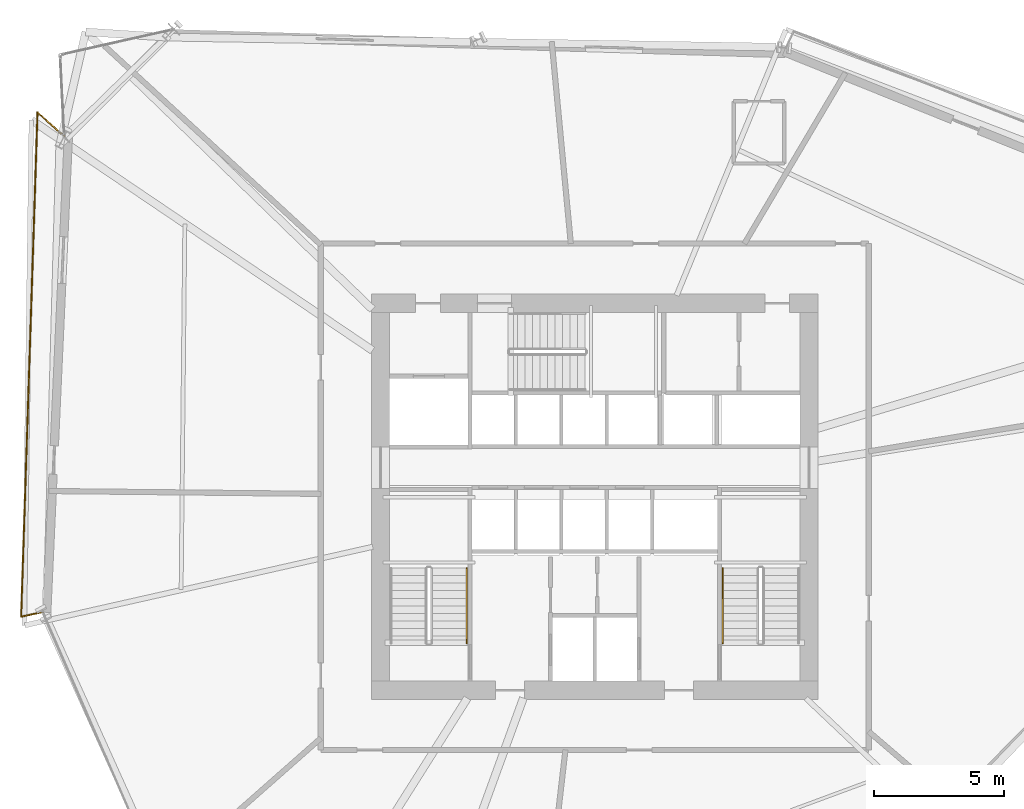
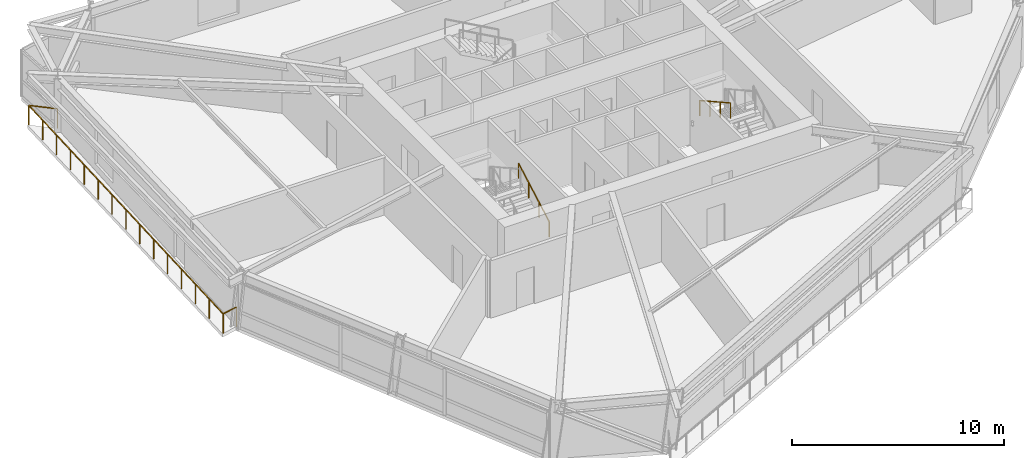
# One storey, part 17 of 19: 3 railings.
"""IFC4 building model written with IfcOpenShell, lengths in metres."""

from ifc_helpers import new_model, si_unit, direction, frame, origin, origin_2d, place, context, subcontext, project, spatial, rectangle, extrude, material, type_object, element, save


model = new_model("IFC4")

# Units and contexts
model_context = context("Model", 3, precision=1e-05, world=origin(), true_north=direction((0.0, 1.0)))
body_context = subcontext(model_context, "Body", "Model", "MODEL_VIEW")
ifc_project = project(units=[si_unit("LENGTHUNIT", "METRE"), si_unit("AREAUNIT", "SQUARE_METRE"), si_unit("VOLUMEUNIT", "CUBIC_METRE"), si_unit("PLANEANGLEUNIT", "RADIAN"), si_unit("MASSUNIT", "GRAM", prefix="KILO")], contexts=[model_context])

# Site, building, storey
site_placement = place(None, origin())
site = spatial("IfcSite", under=ifc_project, at=site_placement, CompositionType="ELEMENT")
building_placement = place(site_placement, origin())
building = spatial("IfcBuilding", under=site, at=building_placement, Name="Olszyna Solenne Hotel", CompositionType="ELEMENT")
storey_placement = place(building_placement, frame((0.0, 0.0, 84.39990234375)))
storey = spatial("IfcBuildingStorey", under=building, at=storey_placement, Name="L21", CompositionType="ELEMENT", Elevation=84.39990234375)

# Railings
ifc_material_1 = material(Name="Anodised bronze aluminium", Category="aluminium")
railing_type_1 = type_object("IfcRailingType", Name="GR-110", PredefinedType="BALUSTRADE", material=ifc_material_1)
railing_1_placement = place(storey_placement, frame((17.56689453125, 40.4853515625, 0.0)))
element("IfcRailing", 1, at=railing_1_placement, inside=storey, type_object=railing_type_1, Name="Loggia balcony balustrade guard GR-L21-LG2", PredefinedType="BALUSTRADE", context=body_context, shape_type="SweptSolid", body=[
    extrude(rectangle(XDim=0.048095703125, YDim=0.048095703125, at=origin_2d()), frame((0.0, 0.0, 1.1259765625), z_axis=(-0.746148065826, 0.665780041654, 0.0), x_axis=(-0.665780041654, -0.746148065826, 0.0)), (0.0, 0.0, 1.0), 1.379150390625),
    extrude(rectangle(XDim=0.048095703125, YDim=0.048095703125, at=origin_2d()), frame((-1.029052734375, 0.918212890625, 1.1259765625), z_axis=(-0.032459478001, -0.999473052307, 0.0), x_axis=(0.999473052307, -0.032459478001, 0.0)), (0.0, 0.0, 1.0), 19.435302734375),
    extrude(rectangle(XDim=0.048095703125, YDim=0.048095703125, at=origin_2d()), frame((-1.659912109375, -18.5068359375, 1.1259765625), z_axis=(0.977684013988, 0.21008086251, 0.0), x_axis=(-0.21008086251, 0.977684013988, 0.0)), (0.0, 0.0, 1.0), 0.845947265625),
    extrude(rectangle(XDim=0.0419921875, YDim=0.0419921875, at=origin_2d()), origin(), (0.0, 0.0, 1.0), 1.101806640625),
    extrude(rectangle(XDim=0.0419921875, YDim=0.0419921875, at=origin_2d()), frame((-1.029052734375, 0.918212890625, 0.0)), (0.0, 0.0, 1.0), 1.101806640625),
    extrude(rectangle(XDim=0.0419921875, YDim=0.0419921875, at=origin_2d()), frame((-1.07421875, -0.46923828125, 0.0)), (0.0, 0.0, 1.0), 1.101806640625),
    extrude(rectangle(XDim=0.0419921875, YDim=0.0419921875, at=origin_2d()), frame((-1.119140625, -1.856689453125, 0.0)), (0.0, 0.0, 1.0), 1.101806640625),
    extrude(rectangle(XDim=0.0419921875, YDim=0.0419921875, at=origin_2d()), frame((-1.164306640625, -3.244384765625, 0.0)), (0.0, 0.0, 1.0), 1.101806640625),
    extrude(rectangle(XDim=0.0419921875, YDim=0.0419921875, at=origin_2d()), frame((-1.209228515625, -4.6318359375, 0.0)), (0.0, 0.0, 1.0), 1.101806640625),
    extrude(rectangle(XDim=0.0419921875, YDim=0.0419921875, at=origin_2d()), frame((-1.25439453125, -6.019287109375, 0.0)), (0.0, 0.0, 1.0), 1.101806640625),
    extrude(rectangle(XDim=0.0419921875, YDim=0.0419921875, at=origin_2d()), frame((-1.29931640625, -7.40673828125, 0.0)), (0.0, 0.0, 1.0), 1.101806640625),
    extrude(rectangle(XDim=0.0419921875, YDim=0.0419921875, at=origin_2d()), frame((-1.344482421875, -8.79443359375, 0.0)), (0.0, 0.0, 1.0), 1.101806640625),
    extrude(rectangle(XDim=0.0419921875, YDim=0.0419921875, at=origin_2d()), frame((-1.3896484375, -10.181884765625, 0.0)), (0.0, 0.0, 1.0), 1.101806640625),
    extrude(rectangle(XDim=0.0419921875, YDim=0.0419921875, at=origin_2d()), frame((-1.4345703125, -11.5693359375, 0.0)), (0.0, 0.0, 1.0), 1.101806640625),
    extrude(rectangle(XDim=0.0419921875, YDim=0.0419921875, at=origin_2d()), frame((-1.479736328125, -12.956787109375, 0.0)), (0.0, 0.0, 1.0), 1.101806640625),
    extrude(rectangle(XDim=0.0419921875, YDim=0.0419921875, at=origin_2d()), frame((-1.524658203125, -14.34423828125, 0.0)), (0.0, 0.0, 1.0), 1.101806640625),
    extrude(rectangle(XDim=0.0419921875, YDim=0.0419921875, at=origin_2d()), frame((-1.56982421875, -15.73193359375, 0.0)), (0.0, 0.0, 1.0), 1.101806640625),
    extrude(rectangle(XDim=0.0419921875, YDim=0.0419921875, at=origin_2d()), frame((-1.61474609375, -17.119384765625, 0.0)), (0.0, 0.0, 1.0), 1.101806640625),
    extrude(rectangle(XDim=0.0419921875, YDim=0.0419921875, at=origin_2d()), frame((-1.659912109375, -18.5068359375, 0.0)), (0.0, 0.0, 1.0), 1.101806640625),
    extrude(rectangle(XDim=0.0419921875, YDim=0.0419921875, at=origin_2d()), frame((-0.832763671875, -18.3291015625, 0.0)), (0.0, 0.0, 1.0), 1.101806640625),
])
ifc_material_2 = material(Name="Steel S355J2", Category="steel")
railing_type_2 = type_object("IfcRailingType", Name="HR-090", PredefinedType="HANDRAIL", material=ifc_material_2)
railing_2_placement = place(storey_placement, frame((33.070068359375, 20.949951171875, 0.161376953125)))
element("IfcRailing", 2, at=railing_2_placement, inside=storey, type_object=railing_type_2, Name="L21 ST1 stair handrail 1", PredefinedType="HANDRAIL", context=body_context, shape_type="SweptSolid", body=[
    extrude(rectangle(XDim=0.048095703125, YDim=0.048095703125, at=origin_2d()), frame((0.0, 0.0, 0.8759765625), z_axis=(0.0, 0.873827439584, 0.48623616261), x_axis=(-1.0, 0.0, 0.0)), (0.0, 0.0, 1.0), 3.31884765625),
    extrude(rectangle(XDim=0.0419921875, YDim=0.0419921875, at=origin_2d()), origin(), (0.0, 0.0, 1.0), 0.851806640625),
    extrude(rectangle(XDim=0.0419921875, YDim=0.0419921875, at=origin_2d()), frame((0.0, 0.966796875, 0.537841796875)), (0.0, 0.0, 1.0), 0.851806640625),
    extrude(rectangle(XDim=0.0419921875, YDim=0.0419921875, at=origin_2d()), frame((0.0, 1.933349609375, 1.075927734375)), (0.0, 0.0, 1.0), 0.851806640625),
    extrude(rectangle(XDim=0.0419921875, YDim=0.0419921875, at=origin_2d()), frame((0.0, 2.900146484375, 1.61376953125)), (0.0, 0.0, 1.0), 0.851806640625),
])
railing_3_placement = place(storey_placement, frame((42.929931640625, 23.85009765625, 1.9365234375)))
element("IfcRailing", 3, at=railing_3_placement, inside=storey, type_object=railing_type_2, Name="L21 ST2 stair handrail 2", PredefinedType="HANDRAIL", context=body_context, shape_type="SweptSolid", body=[
    extrude(rectangle(XDim=0.048095703125, YDim=0.048095703125, at=origin_2d()), frame((0.0, 0.0, 0.8759765625), z_axis=(0.0, -0.873858693841, 0.486179990537), x_axis=(1.0, 0.0, 0.0)), (0.0, 0.0, 1.0), 3.31884765625),
    extrude(rectangle(XDim=0.0419921875, YDim=0.0419921875, at=origin_2d()), origin(), (0.0, 0.0, 1.0), 0.851806640625),
    extrude(rectangle(XDim=0.0419921875, YDim=0.0419921875, at=origin_2d()), frame((0.0, -0.966796875, 0.537841796875)), (0.0, 0.0, 1.0), 0.851806640625),
    extrude(rectangle(XDim=0.0419921875, YDim=0.0419921875, at=origin_2d()), frame((0.0, -1.933349609375, 1.07568359375)), (0.0, 0.0, 1.0), 0.851806640625),
    extrude(rectangle(XDim=0.0419921875, YDim=0.0419921875, at=origin_2d()), frame((0.0, -2.900146484375, 1.613525390625)), (0.0, 0.0, 1.0), 0.851806640625),
])

save(model, "model.ifc")
